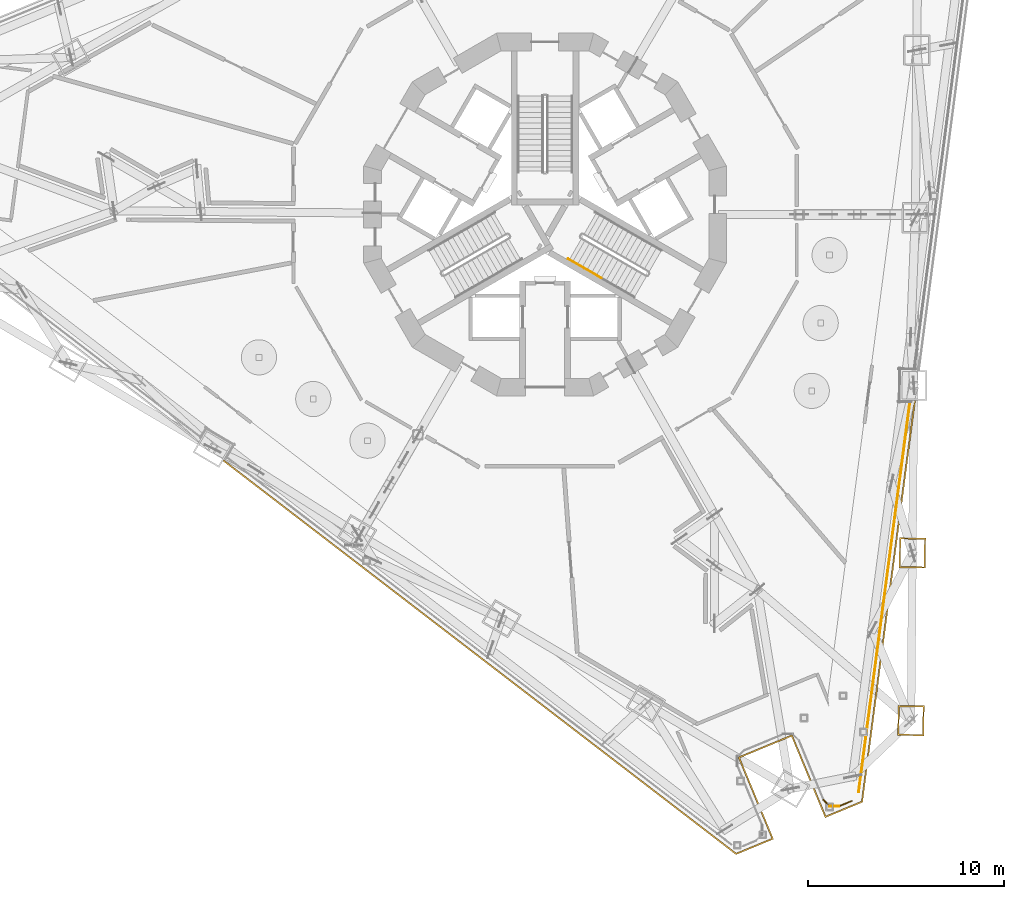
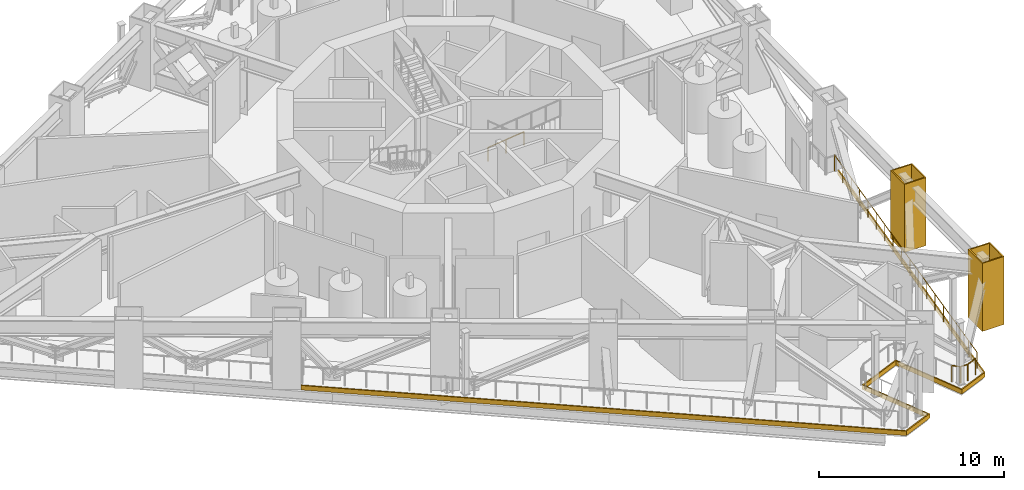
# One storey, part 18 of 23: 5 railings, 3 coverings.
"""IFC4 building model written with IfcOpenShell, lengths in metres."""

from ifc_helpers import new_model, si_unit, direction, frame, origin, origin_2d, place, context, subcontext, project, spatial, polyline, circle, outline, extrude, material, layer, layer_set, type_object, element, save


model = new_model("IFC4")

# Units and contexts
model_context = context("Model", 3, precision=1e-05, world=origin(), true_north=direction((0.0, 1.0)))
body_context = subcontext(model_context, "Body", "Model", "MODEL_VIEW")
ifc_project = project(units=[si_unit("LENGTHUNIT", "METRE"), si_unit("AREAUNIT", "SQUARE_METRE"), si_unit("VOLUMEUNIT", "CUBIC_METRE"), si_unit("PLANEANGLEUNIT", "RADIAN"), si_unit("MASSUNIT", "GRAM", prefix="KILO")], contexts=[model_context])

# Site, building, storey
site_placement = place(None, origin())
site = spatial("IfcSite", under=ifc_project, at=site_placement, CompositionType="ELEMENT")
building_placement = place(site_placement, origin())
building = spatial("IfcBuilding", under=site, at=building_placement, Name="Trine Commons Tower", CompositionType="ELEMENT")
storey_placement = place(building_placement, frame((0.0, 0.0, 156.60009765625)))
storey = spatial("IfcBuildingStorey", under=building, at=storey_placement, Name="L40", CompositionType="ELEMENT", Elevation=156.60009765625)

# Coverings
ifc_material_1 = material(Name="Limestone, honed", Category="masonry")
ifc_layer_1 = layer(ifc_material_1, 0.074951171875)
ifc_layer_set_1 = layer_set([ifc_layer_1], Name="Limestone, honed")
covering_type_1 = type_object("IfcCoveringType", Name="Limestone column cladding 75", PredefinedType="CLADDING", material=ifc_layer_set_1)
covering_1_placement = place(storey_placement, origin())
element("IfcCovering", 1, at=covering_1_placement, inside=storey, type_object=covering_type_1, Name="Limestone pier cladding 5-20", PredefinedType="CLADDING", context=body_context, shape_type="SweptSolid", body=[
    extrude(outline(polyline([(99.468994140625, 45.96337890625), (98.118896484375, 45.97509765625), (98.10546875, 44.425048828125), (99.455322265625, 44.413330078125), (99.468994140625, 45.96337890625)]), holes=[polyline([(99.393310546875, 45.888916015625), (98.193359375, 45.8994140625), (98.18115234375, 44.49951171875), (99.381103515625, 44.489013671875), (99.393310546875, 45.888916015625)])]), origin(), (0.0, 0.0, 1.0), 4.5),
])
covering_2_placement = place(storey_placement, origin())
element("IfcCovering", 2, at=covering_2_placement, inside=storey, type_object=covering_type_1, Name="Limestone pier cladding 5-21", PredefinedType="CLADDING", context=body_context, shape_type="SweptSolid", body=[
    extrude(outline(polyline([(99.39404296875, 37.39306640625), (98.044189453125, 37.40478515625), (98.03076171875, 35.854736328125), (99.380615234375, 35.843017578125), (99.39404296875, 37.39306640625)]), holes=[polyline([(99.318603515625, 37.318603515625), (98.118408203125, 37.3291015625), (98.106201171875, 35.92919921875), (99.306396484375, 35.918701171875), (99.318603515625, 37.318603515625)])]), origin(), (0.0, 0.0, 1.0), 4.5),
])
ifc_layer_2 = layer(ifc_material_1, 0.074951171875)
ifc_layer_set_2 = layer_set([ifc_layer_2], Name="Limestone, honed")
covering_type_2 = type_object("IfcCoveringType", Name="Limestone spandrel panel 75", PredefinedType="CLADDING", material=ifc_layer_set_2)
covering_3_placement = place(storey_placement, frame((0.0, 0.0, -0.300048828125)))
element("IfcCovering", 3, at=covering_3_placement, inside=storey, type_object=covering_type_2, Name="Limestone spandrel panel 4-01", PredefinedType="CLADDING", context=body_context, shape_type="SweptSolid", body=[
    extrude(outline(polyline([(92.5986328125, 35.80810546875), (94.32080078125, 31.650634765625), (96.24462890625, 32.447509765625), (98.948974609375, 52.98876953125), (98.873291015625, 52.989501953125), (96.17578125, 32.500244140625), (94.361328125, 31.74853515625), (92.63916015625, 35.906005859375), (89.867431640625, 34.758056640625), (91.589599609375, 30.6005859375), (89.77490234375, 29.848876953125), (63.56591796875, 49.9599609375), (63.527587890625, 49.894775390625), (89.763671875, 29.762939453125), (91.6875, 30.559814453125), (89.965576171875, 34.71728515625), (92.5986328125, 35.80810546875)])), origin(), (0.0, 0.0, 1.0), 0.300048828125),
])

# Railings
ifc_material_2 = material(Name="Stainless steel rail and posts", Category="steel")
railing_type_1 = type_object("IfcRailingType", Name="Slot edge guard 1100", PredefinedType="GUARDRAIL", material=ifc_material_2)
railing_1_placement = place(storey_placement, frame((98.67138671875, 52.98779296875, 0.0)))
element("IfcRailing", 4, at=railing_1_placement, inside=storey, type_object=railing_type_1, Name="Guard L40-48", PredefinedType="GUARDRAIL", context=body_context, shape_type="SweptSolid", body=[
    extrude(circle(Radius=0.02392578125, at=origin_2d()), frame((0.0, 0.0, 1.076171875), z_axis=(-0.130524286679, -0.991445112241, 0.0), x_axis=(0.991445112241, -0.130524286679, 0.0)), (0.0, 0.0, 1.0), 20.18408203125),
    extrude(circle(Radius=0.02099609375, at=origin_2d()), origin(), (0.0, 0.0, 1.0), 1.052001953125),
    extrude(circle(Radius=0.02099609375, at=origin_2d()), frame((-0.155029296875, -1.17724609375, 0.0)), (0.0, 0.0, 1.0), 1.052001953125),
    extrude(circle(Radius=0.02099609375, at=origin_2d()), frame((-0.31005859375, -2.354248046875, 0.0)), (0.0, 0.0, 1.0), 1.052001953125),
    extrude(circle(Radius=0.02099609375, at=origin_2d()), frame((-0.46484375, -3.531494140625, 0.0)), (0.0, 0.0, 1.0), 1.052001953125),
    extrude(circle(Radius=0.02099609375, at=origin_2d()), frame((-0.619873046875, -4.70849609375, 0.0)), (0.0, 0.0, 1.0), 1.052001953125),
    extrude(circle(Radius=0.02099609375, at=origin_2d()), frame((-0.77490234375, -5.8857421875, 0.0)), (0.0, 0.0, 1.0), 1.052001953125),
    extrude(circle(Radius=0.02099609375, at=origin_2d()), frame((-0.929931640625, -7.06298828125, 0.0)), (0.0, 0.0, 1.0), 1.052001953125),
    extrude(circle(Radius=0.02099609375, at=origin_2d()), frame((-1.084716796875, -8.239990234375, 0.0)), (0.0, 0.0, 1.0), 1.052001953125),
    extrude(circle(Radius=0.02099609375, at=origin_2d()), frame((-1.23974609375, -9.417236328125, 0.0)), (0.0, 0.0, 1.0), 1.052001953125),
    extrude(circle(Radius=0.02099609375, at=origin_2d()), frame((-1.394775390625, -10.59423828125, 0.0)), (0.0, 0.0, 1.0), 1.052001953125),
    extrude(circle(Radius=0.02099609375, at=origin_2d()), frame((-1.5498046875, -11.771484375, 0.0)), (0.0, 0.0, 1.0), 1.052001953125),
    extrude(circle(Radius=0.02099609375, at=origin_2d()), frame((-1.70458984375, -12.948486328125, 0.0)), (0.0, 0.0, 1.0), 1.052001953125),
    extrude(circle(Radius=0.02099609375, at=origin_2d()), frame((-1.859619140625, -14.125732421875, 0.0)), (0.0, 0.0, 1.0), 1.052001953125),
    extrude(circle(Radius=0.02099609375, at=origin_2d()), frame((-2.0146484375, -15.302978515625, 0.0)), (0.0, 0.0, 1.0), 1.052001953125),
    extrude(circle(Radius=0.02099609375, at=origin_2d()), frame((-2.169677734375, -16.47998046875, 0.0)), (0.0, 0.0, 1.0), 1.052001953125),
    extrude(circle(Radius=0.02099609375, at=origin_2d()), frame((-2.324462890625, -17.6572265625, 0.0)), (0.0, 0.0, 1.0), 1.052001953125),
    extrude(circle(Radius=0.02099609375, at=origin_2d()), frame((-2.4794921875, -18.834228515625, 0.0)), (0.0, 0.0, 1.0), 1.052001953125),
    extrude(circle(Radius=0.02099609375, at=origin_2d()), frame((-2.634521484375, -20.011474609375, 0.0)), (0.0, 0.0, 1.0), 1.052001953125),
])
railing_2_placement = place(storey_placement, frame((95.67919921875, 32.510986328125, 0.0)))
element("IfcRailing", 5, at=railing_2_placement, inside=storey, type_object=railing_type_1, Name="Guard L40-51", PredefinedType="GUARDRAIL", context=body_context, shape_type="SweptSolid", body=[
    extrude(circle(Radius=0.02392578125, at=origin_2d()), frame((0.0, 0.0, 1.076171875), z_axis=(-0.923847400607, -0.382760996435, 0.0), x_axis=(0.382760996435, -0.923847400607, 0.0)), (0.0, 0.0, 1.0), 0.72021484375),
    extrude(circle(Radius=0.02099609375, at=origin_2d()), origin(), (0.0, 0.0, 1.0), 1.052001953125),
    extrude(circle(Radius=0.02099609375, at=origin_2d()), frame((-0.665283203125, -0.275634765625, 0.0)), (0.0, 0.0, 1.0), 1.052001953125),
])
railing_3_placement = place(storey_placement, frame((95.0341796875, 32.239501953125, 0.0)))
element("IfcRailing", 6, at=railing_3_placement, inside=storey, type_object=railing_type_1, Name="Guard L40-52", PredefinedType="GUARDRAIL", context=body_context, shape_type="SweptSolid", body=[
    extrude(circle(Radius=0.02392578125, at=origin_2d()), frame((0.0, 0.0, 1.076171875), z_axis=(-1.0, 0.0, 0.0), x_axis=(0.0, -1.0, 0.0)), (0.0, 0.0, 1.0), 0.4912109375),
    extrude(circle(Radius=0.02099609375, at=origin_2d()), origin(), (0.0, 0.0, 1.0), 1.052001953125),
    extrude(circle(Radius=0.02099609375, at=origin_2d()), frame((-0.4912109375, 0.0, 0.0)), (0.0, 0.0, 1.0), 1.052001953125),
])
railing_4_placement = place(storey_placement, frame((94.57958984375, 32.224365234375, 0.0)))
element("IfcRailing", 7, at=railing_4_placement, inside=storey, type_object=railing_type_1, Name="Guard L40-53", PredefinedType="GUARDRAIL", context=body_context, shape_type="SweptSolid", body=[
    extrude(circle(Radius=0.02392578125, at=origin_2d()), frame((0.0, 0.0, 1.076171875), z_axis=(-0.706858368499, 0.707355106635, 0.0), x_axis=(-0.707355106635, -0.706858368499, 0.0)), (0.0, 0.0, 1.0), 0.491455078125),
    extrude(circle(Radius=0.02099609375, at=origin_2d()), origin(), (0.0, 0.0, 1.0), 1.052001953125),
    extrude(circle(Radius=0.02099609375, at=origin_2d()), frame((-0.347412109375, 0.34765625, 0.0)), (0.0, 0.0, 1.0), 1.052001953125),
])
ifc_material_3 = material(Name="Stainless steel handrail", Category="steel")
railing_type_2 = type_object("IfcRailingType", Name="Stair handrail, steel 900", PredefinedType="HANDRAIL", material=ifc_material_3)
railing_5_placement = place(storey_placement, frame((81.175048828125, 60.23388671875, 2.39990234375)))
element("IfcRailing", 8, at=railing_5_placement, inside=storey, type_object=railing_type_2, Name="L40 ST3B stair handrail 3", PredefinedType="HANDRAIL", context=body_context, shape_type="SweptSolid", body=[
    extrude(circle(Radius=0.02099609375, at=origin_2d()), frame((0.0, 0.0, 0.87890625), z_axis=(0.763352030933, -0.440750151347, 0.472263677365), x_axis=(0.500024377727, 0.866011328839, 0.0)), (0.0, 0.0, 1.0), 2.223388671875),
    extrude(circle(Radius=0.01513671875, at=origin_2d()), origin(), (0.0, 0.0, 1.0), 0.85791015625),
    extrude(circle(Radius=0.01513671875, at=origin_2d()), frame((0.8486328125, -0.489990234375, 0.52490234375)), (0.0, 0.0, 1.0), 0.85791015625),
    extrude(circle(Radius=0.01513671875, at=origin_2d()), frame((1.697265625, -0.97998046875, 1.050048828125)), (0.0, 0.0, 1.0), 0.85791015625),
])

save(model, "model.ifc")
